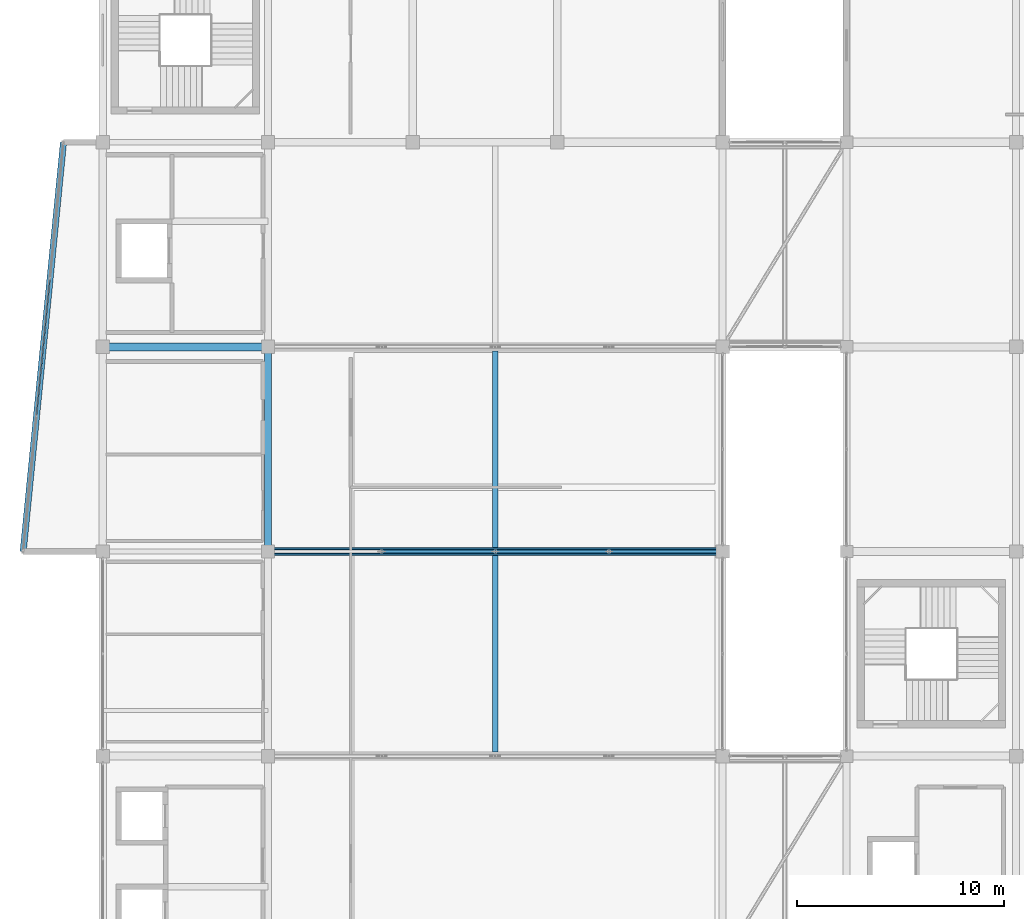
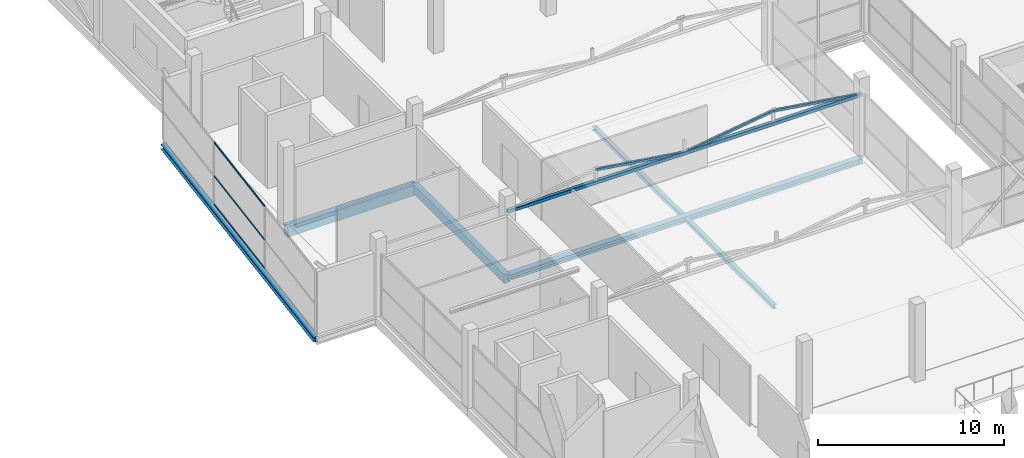
# One storey, part 21 of 58: 7 members, 6 beams, 1 element without a shape of its own.
"""IFC4 building model written with IfcOpenShell, lengths in metres."""

from ifc_helpers import new_model, si_unit, direction, frame, origin, origin_2d, place, context, subcontext, project, spatial, rectangle, hollow_rectangle, i_section, extrude, material, layer, layer_set, material_profile, profile_set, type_object, element, aggregate, save


model = new_model("IFC4")

# Units and contexts
model_context = context("Model", 3, precision=1e-05, world=origin(), true_north=direction((0.0, 1.0)))
body_context = subcontext(model_context, "Body", "Model", "MODEL_VIEW")
ifc_project = project(units=[si_unit("LENGTHUNIT", "METRE"), si_unit("AREAUNIT", "SQUARE_METRE"), si_unit("VOLUMEUNIT", "CUBIC_METRE"), si_unit("PLANEANGLEUNIT", "RADIAN"), si_unit("MASSUNIT", "GRAM", prefix="KILO")], contexts=[model_context])

# Site, building, storey
site_placement = place(None, origin())
site = spatial("IfcSite", under=ifc_project, at=site_placement, CompositionType="ELEMENT")
building_placement = place(site_placement, origin())
building = spatial("IfcBuilding", under=site, at=building_placement, Name="Sillaruma Civic Art Gallery", CompositionType="ELEMENT")
storey_placement = place(building_placement, frame((0.0, 0.0, 52.02001953125)))
storey = spatial("IfcBuildingStorey", under=building, at=storey_placement, Name="L10", CompositionType="ELEMENT", Elevation=52.02001953125)

# Beams
ifc_material_1 = material(Name="Concrete H35 (35 MPa)", Category="concrete")
ifc_material_profile_1 = material_profile(ifc_material_1, rectangle(XDim=0.35009765625, YDim=0.60009765625, at=origin_2d()), Name="RCB350x600")
ifc_profile_set_1 = profile_set([ifc_material_profile_1], Name="Concrete H35 (35 MPa)")
beam_type_1 = type_object("IfcBeamType", Name="BM-BEAM-RCB350x600", PredefinedType="BEAM", material=ifc_profile_set_1)
beam_1_placement = place(storey_placement, frame((70.0, 59.39990234375, -0.550048828125), z_axis=(0.0, 1.0, 0.0), x_axis=(-1.0, 0.0, 0.0)))
element("IfcBeam", 1, at=beam_1_placement, inside=storey, type_object=beam_type_1, Name="Beam BM-06 (L09:G:7-8)", PredefinedType="BEAM", context=body_context, shape_type="SweptSolid", body=[
    extrude(rectangle(XDim=0.35009765625, YDim=0.60009765625, at=origin_2d()), origin(), (0.0, 0.0, 1.0), 9.900146484375),
])
ifc_material_profile_2 = material_profile(ifc_material_1, rectangle(XDim=0.39990234375, YDim=0.699951171875, at=origin_2d()), Name="RCB400x700")
ifc_profile_set_2 = profile_set([ifc_material_profile_2], Name="Concrete H35 (35 MPa)")
beam_type_2 = type_object("IfcBeamType", Name="BM-BEAM-RCB400x700", PredefinedType="BEAM", material=ifc_profile_set_2)
beam_2_placement = place(storey_placement, frame((62.0, 69.300048828125, -0.60009765625), z_axis=(1.0, 0.0, 0.0), x_axis=(0.0, 1.0, 0.0)))
element("IfcBeam", 2, at=beam_2_placement, inside=storey, type_object=beam_type_2, Name="Beam BM-04 (L09:8:F-G)", PredefinedType="BEAM", context=body_context, shape_type="SweptSolid", body=[
    extrude(rectangle(XDim=0.39990234375, YDim=0.699951171875, at=origin_2d()), origin(), (0.0, 0.0, 1.0), 8.0),
])
ifc_material_2 = material(Name="Structural Steel ASTM A992 Gr.50", Category="steel")
ifc_material_profile_3 = material_profile(ifc_material_2, i_section(OverallWidth=0.256103515625, OverallDepth=0.260009765625, WebThickness=0.0107421875, FlangeThickness=0.017333984375, FilletRadius=0.012939453125, at=origin_2d()), Name="W250x89")
ifc_profile_set_3 = profile_set([ifc_material_profile_3], Name="Structural Steel ASTM A992 Gr.50")
beam_type_3 = type_object("IfcBeamType", Name="BM-JOIST-W250x89", PredefinedType="JOIST", material=ifc_profile_set_3)
for number, where, z_axis, x_axis, name in (
    (3, (81.0, 49.685546875, -0.380126953125), (0.0, 1.0, 0.0), (-1.0, 0.0, 0.0), "Long-Span Gallery Joist JS-04 (L09:6-7)"),
    (4, (81.0, 59.58544921875, -0.380126953125), (0.0, 1.0, 0.0), (-1.0, 0.0, 0.0), "Long-Span Gallery Joist JS-04 (L09:7-8)"),
):
    element("IfcBeam", number, at=place(storey_placement, frame(where, z_axis=z_axis, x_axis=x_axis)), inside=storey, type_object=beam_type_3, Name=name, PredefinedType="JOIST", context=body_context, shape_type="SweptSolid", body=[
        extrude(i_section(OverallWidth=0.256103515625, OverallDepth=0.260009765625, WebThickness=0.0107421875, FlangeThickness=0.017333984375, FilletRadius=0.012939453125, at=origin_2d()), origin(), (0.0, 0.0, 1.0), 9.529052734375),
    ])
ifc_material_profile_4 = material_profile(ifc_material_2, i_section(OverallWidth=0.305908203125, OverallDepth=0.31103515625, WebThickness=0.010986328125, FlangeThickness=0.01708984375, FilletRadius=0.014892578125, at=origin_2d()), Name="W310x107")
ifc_profile_set_4 = profile_set([ifc_material_profile_4], Name="Structural Steel ASTM A992 Gr.50")
beam_type_4 = type_object("IfcBeamType", Name="BM-PROW-W310x107", PredefinedType="SPANDREL", material=ifc_profile_set_4)
beam_3_placement = place(storey_placement, frame((58.14990234375, 59.39990234375, -0.405517578125), z_axis=(0.098020162744, 0.995184428986, 0.0), x_axis=(-0.995184428986, 0.098020162744, 0.0)))
element("IfcBeam", 5, at=beam_3_placement, inside=storey, type_object=beam_type_4, Name="Angled Prow Edge Spandrel (PRW-L10-W-FLR)", PredefinedType="SPANDREL", context=body_context, shape_type="SweptSolid", body=[
    extrude(i_section(OverallWidth=0.305908203125, OverallDepth=0.31103515625, WebThickness=0.010986328125, FlangeThickness=0.01708984375, FilletRadius=0.014892578125, at=origin_2d()), origin(), (0.0, 0.0, 1.0), 19.895751953125),
])
ifc_material_profile_5 = material_profile(ifc_material_2, i_section(OverallWidth=0.37109375, OverallDepth=0.364013671875, WebThickness=0.01318359375, FlangeThickness=0.021728515625, FilletRadius=0.014892578125, at=origin_2d()), Name="W360x162")
ifc_profile_set_5 = profile_set([ifc_material_profile_5], Name="Structural Steel ASTM A992 Gr.50")
beam_type_5 = type_object("IfcBeamType", Name="BM-TRTOP-W360x162", PredefinedType="BEAM", material=ifc_profile_set_5)
beam_4_placement = place(storey_placement, frame((70.0, 59.39990234375, -0.43212890625), z_axis=(1.0, 0.0, 0.0), x_axis=(0.0, 1.0, 0.0)))
element("IfcBeam", 6, at=beam_4_placement, inside=storey, type_object=beam_type_5, Name="Warren Truss Top Chord TR-L09-2", PredefinedType="BEAM", context=body_context, shape_type="SweptSolid", body=[
    extrude(i_section(OverallWidth=0.37109375, OverallDepth=0.364013671875, WebThickness=0.01318359375, FlangeThickness=0.021728515625, FilletRadius=0.014892578125, at=origin_2d()), origin(), (0.0, 0.0, 1.0), 22.0),
])

# Members
ifc_material_3 = material(Name="Structural Steel ASTM A500 Gr.C", Category="steel")
ifc_material_profile_6 = material_profile(ifc_material_3, hollow_rectangle(XDim=0.14990234375, YDim=0.14990234375, WallThickness=0.010009765625, InnerFilletRadius=0.010009765625, OuterFilletRadius=0.02001953125, at=origin_2d()), Name="HSS150x150x10")
ifc_profile_set_6 = profile_set([ifc_material_profile_6], Name="Structural Steel ASTM A500 Gr.C")
member_type_1 = type_object("IfcMemberType", Name="MEM-BRACE-HSS150x150x10", PredefinedType="BRACE", material=ifc_profile_set_6)
for number, where, z_axis, x_axis, name in (
    (7, (75.5, 59.39990234375, 4.66796875), (0.989377720719, 0.0, -0.145367553959), (0.0, 1.0, 0.0), "Warren Truss Diagonal TR-L10-2-D2"),
    (8, (81.0, 59.39990234375, 3.85986328125), (0.989377720719, 0.0, 0.145367553959), (0.0, 1.0, 0.0), "Warren Truss Diagonal TR-L10-2-D3"),
    (9, (86.5, 59.39990234375, 4.66796875), (0.989377720719, 0.0, -0.145367553959), (0.0, 1.0, 0.0), "Warren Truss Diagonal TR-L10-2-D4"),
):
    element("IfcMember", number, at=place(storey_placement, frame(where, z_axis=z_axis, x_axis=x_axis)), inside=storey, type_object=member_type_1, Name=name, PredefinedType="BRACE", context=body_context, shape_type="SweptSolid", body=[
        extrude(hollow_rectangle(XDim=0.14990234375, YDim=0.14990234375, WallThickness=0.010009765625, InnerFilletRadius=0.010009765625, OuterFilletRadius=0.02001953125, at=origin_2d()), origin(), (0.0, 0.0, 1.0), 5.55908203125),
    ])
ifc_material_profile_7 = material_profile(ifc_material_3, hollow_rectangle(XDim=0.219970703125, YDim=0.219970703125, WallThickness=0.012451171875, InnerFilletRadius=0.012451171875, OuterFilletRadius=0.02490234375, at=origin_2d()), Name="HSS220x220x12.5")
ifc_profile_set_7 = profile_set([ifc_material_profile_7], Name="Structural Steel ASTM A500 Gr.C")
member_type_2 = type_object("IfcMemberType", Name="MEM-CHORD-HSS220x220x12.5", PredefinedType="CHORD", material=ifc_profile_set_7)
member_1_placement = place(storey_placement, frame((70.0, 59.39990234375, 3.85986328125), z_axis=(1.0, 0.0, 0.0), x_axis=(0.0, 1.0, 0.0)))
element("IfcMember", 10, at=member_1_placement, inside=storey, type_object=member_type_2, Name="Warren Truss Bottom Chord TR-L10-2", PredefinedType="CHORD", context=body_context, shape_type="SweptSolid", body=[
    extrude(hollow_rectangle(XDim=0.219970703125, YDim=0.219970703125, WallThickness=0.012451171875, InnerFilletRadius=0.012451171875, OuterFilletRadius=0.02490234375, at=origin_2d()), origin(), (0.0, 0.0, 1.0), 22.0),
])

# Curtain wall, members
ifc_material_4 = material(Name="Thermally Broken Extruded Aluminium 6063-T6", Category="aluminium")
ifc_layer = layer(ifc_material_4, 0.139892578125, Name="Thermally Broken Extruded Aluminium 6063-T6")
ifc_layer_set = layer_set([ifc_layer], Name="Thermally Broken Extruded Aluminium 6063-T6")
curtain_wall_type = type_object("IfcCurtainWallType", Name="CW-UNI-84", PredefinedType="NOTDEFINED", material=ifc_layer_set)
curtain_wall_placement = place(storey_placement, origin())
curtain_wall = element("IfcCurtainWall", 11, at=curtain_wall_placement, inside=storey, type_object=curtain_wall_type, Name="Unitised Curtain Wall CW-84 (CW-PRW-L10-W-ANG)", PredefinedType="NOTDEFINED")
ifc_material_profile_8 = material_profile(ifc_material_4, hollow_rectangle(XDim=0.06005859375, YDim=0.10009765625, WallThickness=0.003173828125, at=origin_2d()), Name="CWT60x100")
ifc_profile_set_8 = profile_set([ifc_material_profile_8], Name="Thermally Broken Extruded Aluminium 6063-T6")
member_type_3 = type_object("IfcMemberType", Name="MEM-TRN-CWT60x100", PredefinedType="USERDEFINED", material=ifc_profile_set_8)
member_2_placement = place(storey_placement, frame((59.447021484375, 72.570068359375, 0.030029296875), z_axis=(-0.097999251795, -0.995186488377, 0.0), x_axis=(0.995186488377, -0.097999251795, 0.0)))
member_2 = element("IfcMember", 12, at=member_2_placement, type_object=member_type_3, Name="CW-84 transom 2.1", ObjectType="TRANSOM", PredefinedType="USERDEFINED", context=body_context, shape_type="SweptSolid", body=[
    extrude(hollow_rectangle(XDim=0.06005859375, YDim=0.10009765625, WallThickness=0.003173828125, at=origin_2d()), origin(), (0.0, 0.0, 1.0), 6.572021484375),
])
member_3_placement = place(storey_placement, frame((59.447021484375, 72.570068359375, 1.885986328125), z_axis=(-0.097999251795, -0.995186488377, 0.0), x_axis=(0.995186488377, -0.097999251795, 0.0)))
member_3 = element("IfcMember", 13, at=member_3_placement, type_object=member_type_3, Name="CW-84 transom 2.2", ObjectType="TRANSOM", PredefinedType="USERDEFINED", context=body_context, shape_type="SweptSolid", body=[
    extrude(hollow_rectangle(XDim=0.06005859375, YDim=0.10009765625, WallThickness=0.003173828125, at=origin_2d()), origin(), (0.0, 0.0, 1.0), 6.572021484375),
])
member_4_placement = place(storey_placement, frame((59.447021484375, 72.570068359375, 4.070068359375), z_axis=(-0.097999251795, -0.995186488377, 0.0), x_axis=(0.995186488377, -0.097999251795, 0.0)))
member_4 = element("IfcMember", 14, at=member_4_placement, type_object=member_type_3, Name="CW-84 transom 2.3", ObjectType="TRANSOM", PredefinedType="USERDEFINED", context=body_context, shape_type="SweptSolid", body=[
    extrude(hollow_rectangle(XDim=0.06005859375, YDim=0.10009765625, WallThickness=0.003173828125, at=origin_2d()), origin(), (0.0, 0.0, 1.0), 6.572021484375),
])
aggregate(curtain_wall, [member_2, member_3, member_4])

save(model, "model.ifc")
